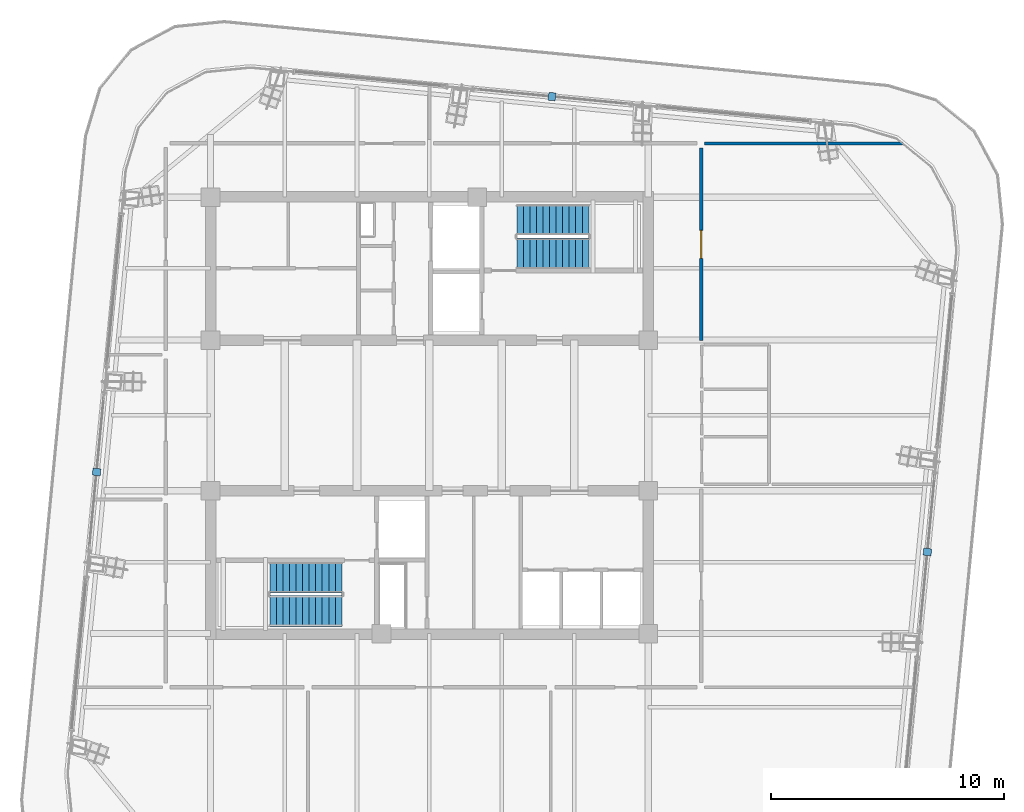
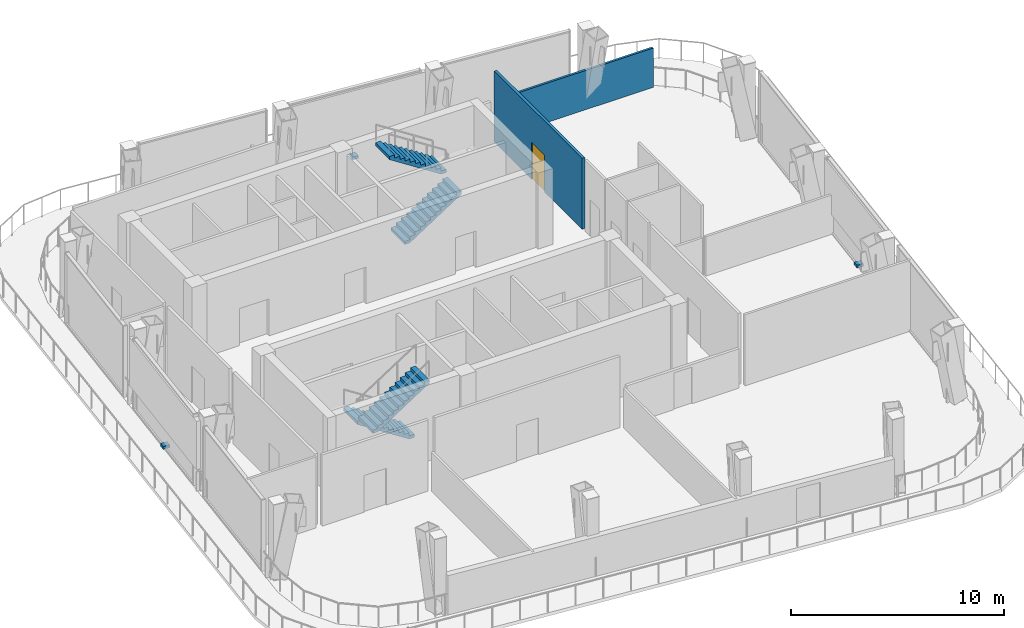
# One storey, part 14 of 19: 4 stair flights, 3 discrete accessories, 2 walls, 1 door, 1 opening, 2 elements without a shape of their own.
"""IFC4 building model written with IfcOpenShell, lengths in metres."""

from ifc_helpers import new_model, si_unit, direction, frame, frame_2d, origin, origin_2d, place, context, subcontext, project, spatial, polyline, rectangle, outline, extrude, material, layer, layer_set, type_object, element, fill, aggregate, save


model = new_model("IFC4")

# Units and contexts
model_context = context("Model", 3, precision=1e-05, world=origin(), true_north=direction((0.0, 1.0)))
body_context = subcontext(model_context, "Body", "Model", "MODEL_VIEW")
ifc_project = project(units=[si_unit("LENGTHUNIT", "METRE"), si_unit("AREAUNIT", "SQUARE_METRE"), si_unit("VOLUMEUNIT", "CUBIC_METRE"), si_unit("PLANEANGLEUNIT", "RADIAN"), si_unit("MASSUNIT", "GRAM", prefix="KILO")], contexts=[model_context])

# Site, building, storey
site_placement = place(None, origin())
site = spatial("IfcSite", under=ifc_project, at=site_placement, CompositionType="ELEMENT")
building_placement = place(site_placement, origin())
building = spatial("IfcBuilding", under=site, at=building_placement, Name="Qhalaya Broadcast Tower", CompositionType="ELEMENT")
storey_placement = place(building_placement, frame((0.0, 0.0, 280.550048828125)))
storey = spatial("IfcBuildingStorey", under=building, at=storey_placement, Name="L83", CompositionType="ELEMENT", Elevation=280.550048828125)

# Wall, opening, door
ifc_material_1 = material(Name="Gypsum Acoustic Partition")
ifc_layer_1 = layer(ifc_material_1, 0.14990234375, Name="Gypsum Acoustic Partition")
ifc_layer_set_1 = layer_set([ifc_layer_1], Name="Gypsum Acoustic Partition")
wall_type_1 = type_object("IfcWallType", Name="Corridor & Tenancy Acoustic Partition 150", PredefinedType="PARTITIONING", material=ifc_layer_set_1)
wall_1_placement = place(storey_placement, frame((11.64990234375, 3.800048828125, 0.0), z_axis=(0.0, 0.0, 1.0), x_axis=(0.0, 1.0, 0.0)))
wall_1 = element("IfcWall", 1, at=wall_1_placement, inside=storey, type_object=wall_type_1, Name="L83 Partition Wall W-COR-10", PredefinedType="PARTITIONING", context=body_context, shape_type="SweptSolid", body=[
    extrude(rectangle(XDim=8.25, YDim=0.14990234375, at=frame_2d((4.125, 0.0))), origin(), (0.0, 0.0, 1.0), 4.070068359375),
])
opening_placement = place(wall_1_placement, frame((3.52490234375, 0.0, 0.0)))
opening = element("IfcOpeningElement", 2, at=opening_placement, cuts=wall_1, Name="Opening D11", PredefinedType="OPENING", context=body_context, shape_type="SweptSolid", body=[
    extrude(rectangle(XDim=1.199951171875, YDim=2.10009765625, at=frame_2d((0.60009765625, 1.050048828125))), frame((0.0, 0.0869140625, 0.0), z_axis=(0.0, -1.0, 0.0), x_axis=(1.0, 0.0, 0.0)), (0.0, 0.0, 1.0), 0.173828125),
])
ifc_material_2 = material(Name="Anodised Aluminium Glazed Door", Category="aluminium")
door_type = type_object("IfcDoorType", Name="Conference, Boardroom & Studio Control Door D11", OperationType="NOTDEFINED", PredefinedType="DOOR", material=ifc_material_2)
door_placement = place(opening_placement, origin())
door = element("IfcDoor", 3, at=door_placement, inside=storey, type_object=door_type, Name="L83 Door D-RM10", OperationType="SINGLE_SWING_RIGHT", OverallHeight=2.10009765625, OverallWidth=1.199951171875, PredefinedType="DOOR", context=body_context, shape_type="SweptSolid", body=[
    extrude(rectangle(XDim=1.199951171875, YDim=2.10009765625, at=frame_2d((0.60009765625, 1.050048828125))), frame((0.0, 0.02490234375, 0.0), z_axis=(0.0, -1.0, 0.0), x_axis=(1.0, 0.0, 0.0)), (0.0, 0.0, 1.0), 0.050048828125),
])
fill(opening, door)

# Wall
ifc_layer_2 = layer(ifc_material_1, 0.1201171875, Name="Gypsum Acoustic Partition")
ifc_layer_set_2 = layer_set([ifc_layer_2], Name="Gypsum Acoustic Partition")
wall_type_2 = type_object("IfcWallType", Name="Office, Booth & Sanitary Partition 120", PredefinedType="PARTITIONING", material=ifc_layer_set_2)
wall_2_placement = place(storey_placement, frame((11.7900390625, 12.25, 0.0), z_axis=(0.0, 0.0, 1.0), x_axis=(1.0, 0.0, 0.0)))
element("IfcWall", 4, at=wall_2_placement, inside=storey, type_object=wall_type_2, Name="L83 Partition Wall W-BNDE1", PredefinedType="PARTITIONING", context=body_context, shape_type="SweptSolid", body=[
    extrude(rectangle(XDim=8.484130859375, YDim=0.1201171875, at=frame_2d((4.2421875, 0.0))), origin(), (0.0, 0.0, 1.0), 2.25),
])

# Stair, stair flights
ifc_material_3 = material(Name="Concrete C40/50", Category="concrete")
stair_type = type_object("IfcStairType", Name="Protected Dogleg Core Stair 4200", PredefinedType="TWO_STRAIGHT_RUN_STAIR", material=ifc_material_3)
stair_1_placement = place(storey_placement, origin())
stair_1 = element("IfcStair", 5, at=stair_1_placement, inside=storey, type_object=stair_type, Name="L83 North Core Exit Stair ST-1", PredefinedType="TWO_STRAIGHT_RUN_STAIR")
ifc_material_4 = material(Name="Precast Concrete C40/50", Category="concrete")
stair_flight_type = type_object("IfcStairFlightType", Name="Precast Concrete Stair Flight 4200", PredefinedType="STRAIGHT", material=ifc_material_4)
stair_flight_1_placement = place(storey_placement, frame((3.75, 7.5400390625, 0.0), z_axis=(0.0, 0.0, 1.0), x_axis=(1.0, 0.0, 0.0)))
stair_flight_1 = element("IfcStairFlight", 6, at=stair_flight_1_placement, type_object=stair_flight_type, Name="ST-1 flight 1", NumberOfRisers=12, NumberOfTreads=11, PredefinedType="STRAIGHT", RiserHeight=0.18125, TreadLength=0.28, context=body_context, shape_type="SweptSolid", body=[
    extrude(outline(polyline([(0.0, 0.0), (0.0, 0.18115234375), (0.280029296875, 0.18115234375), (0.280029296875, 0.362548828125), (0.56005859375, 0.362548828125), (0.56005859375, 0.543701171875), (0.840087890625, 0.543701171875), (0.840087890625, 0.72509765625), (1.1201171875, 0.72509765625), (1.1201171875, 0.90625), (1.39990234375, 0.90625), (1.39990234375, 1.08740234375), (1.679931640625, 1.08740234375), (1.679931640625, 1.268798828125), (1.9599609375, 1.268798828125), (1.9599609375, 1.449951171875), (2.239990234375, 1.449951171875), (2.239990234375, 1.63134765625), (2.52001953125, 1.63134765625), (2.52001953125, 1.8125), (2.800048828125, 1.8125), (2.800048828125, 1.99365234375), (3.080078125, 1.99365234375), (3.080078125, 2.175048828125), (3.080078125, 1.815185546875), (0.27587890625, 0.0), (0.0, 0.0)])), frame((0.0, 0.66015625, 0.0), z_axis=(0.0, -1.0, 0.0), x_axis=(1.0, 0.0, 0.0)), (0.0, 0.0, 1.0), 1.320068359375),
])
stair_flight_2_placement = place(storey_placement, frame((6.830078125, 8.97998046875, 2.175048828125), z_axis=(0.0, 0.0, 1.0), x_axis=(-1.0, 0.0, 0.0)))
stair_flight_2 = element("IfcStairFlight", 7, at=stair_flight_2_placement, type_object=stair_flight_type, Name="ST-1 flight 2", NumberOfRisers=12, NumberOfTreads=11, PredefinedType="STRAIGHT", RiserHeight=0.18125, TreadLength=0.28, context=body_context, shape_type="SweptSolid", body=[
    extrude(outline(polyline([(0.0, 0.0), (0.0, 0.18115234375), (0.280029296875, 0.18115234375), (0.280029296875, 0.362548828125), (0.56005859375, 0.362548828125), (0.56005859375, 0.543701171875), (0.840087890625, 0.543701171875), (0.840087890625, 0.72509765625), (1.1201171875, 0.72509765625), (1.1201171875, 0.90625), (1.39990234375, 0.90625), (1.39990234375, 1.08740234375), (1.679931640625, 1.08740234375), (1.679931640625, 1.268798828125), (1.9599609375, 1.268798828125), (1.9599609375, 1.449951171875), (2.239990234375, 1.449951171875), (2.239990234375, 1.63134765625), (2.52001953125, 1.63134765625), (2.52001953125, 1.8125), (2.800048828125, 1.8125), (2.800048828125, 1.99365234375), (3.080078125, 1.99365234375), (3.080078125, 2.175048828125), (3.080078125, 1.815185546875), (0.27587890625, 0.0), (0.0, 0.0)])), frame((0.0, 0.66015625, 0.0), z_axis=(0.0, -1.0, 0.0), x_axis=(1.0, 0.0, 0.0)), (0.0, 0.0, 1.0), 1.320068359375),
])
aggregate(stair_1, [stair_flight_1, stair_flight_2])

stair_2_placement = place(storey_placement, origin())
stair_2 = element("IfcStair", 8, at=stair_2_placement, inside=storey, type_object=stair_type, Name="L83 South Core Exit Stair ST-2", PredefinedType="TWO_STRAIGHT_RUN_STAIR")
stair_flight_3_placement = place(storey_placement, frame((-3.75, -6.340087890625, 0.0), z_axis=(0.0, 0.0, 1.0), x_axis=(-1.0, 0.0, 0.0)))
stair_flight_3 = element("IfcStairFlight", 9, at=stair_flight_3_placement, type_object=stair_flight_type, Name="ST-2 flight 1", NumberOfRisers=12, NumberOfTreads=11, PredefinedType="STRAIGHT", RiserHeight=0.18125, TreadLength=0.28, context=body_context, shape_type="SweptSolid", body=[
    extrude(outline(polyline([(0.0, 0.0), (0.0, 0.18115234375), (0.280029296875, 0.18115234375), (0.280029296875, 0.362548828125), (0.56005859375, 0.362548828125), (0.56005859375, 0.543701171875), (0.840087890625, 0.543701171875), (0.840087890625, 0.72509765625), (1.1201171875, 0.72509765625), (1.1201171875, 0.90625), (1.39990234375, 0.90625), (1.39990234375, 1.08740234375), (1.679931640625, 1.08740234375), (1.679931640625, 1.268798828125), (1.9599609375, 1.268798828125), (1.9599609375, 1.449951171875), (2.239990234375, 1.449951171875), (2.239990234375, 1.63134765625), (2.52001953125, 1.63134765625), (2.52001953125, 1.8125), (2.800048828125, 1.8125), (2.800048828125, 1.99365234375), (3.080078125, 1.99365234375), (3.080078125, 2.175048828125), (3.080078125, 1.815185546875), (0.27587890625, 0.0), (0.0, 0.0)])), frame((0.0, 0.66015625, 0.0), z_axis=(0.0, -1.0, 0.0), x_axis=(1.0, 0.0, 0.0)), (0.0, 0.0, 1.0), 1.320068359375),
])
stair_flight_4_placement = place(storey_placement, frame((-6.830078125, -7.780029296875, 2.175048828125), z_axis=(0.0, 0.0, 1.0), x_axis=(1.0, 0.0, 0.0)))
stair_flight_4 = element("IfcStairFlight", 10, at=stair_flight_4_placement, type_object=stair_flight_type, Name="ST-2 flight 2", NumberOfRisers=12, NumberOfTreads=11, PredefinedType="STRAIGHT", RiserHeight=0.18125, TreadLength=0.28, context=body_context, shape_type="SweptSolid", body=[
    extrude(outline(polyline([(0.0, 0.0), (0.0, 0.18115234375), (0.280029296875, 0.18115234375), (0.280029296875, 0.362548828125), (0.56005859375, 0.362548828125), (0.56005859375, 0.543701171875), (0.840087890625, 0.543701171875), (0.840087890625, 0.72509765625), (1.1201171875, 0.72509765625), (1.1201171875, 0.90625), (1.39990234375, 0.90625), (1.39990234375, 1.08740234375), (1.679931640625, 1.08740234375), (1.679931640625, 1.268798828125), (1.9599609375, 1.268798828125), (1.9599609375, 1.449951171875), (2.239990234375, 1.449951171875), (2.239990234375, 1.63134765625), (2.52001953125, 1.63134765625), (2.52001953125, 1.8125), (2.800048828125, 1.8125), (2.800048828125, 1.99365234375), (3.080078125, 1.99365234375), (3.080078125, 2.175048828125), (3.080078125, 1.815185546875), (0.27587890625, 0.0), (0.0, 0.0)])), frame((0.0, 0.66015625, 0.0), z_axis=(0.0, -1.0, 0.0), x_axis=(1.0, 0.0, 0.0)), (0.0, 0.0, 1.0), 1.320068359375),
])
aggregate(stair_2, [stair_flight_3, stair_flight_4])

# Discrete accessories
ifc_material_5 = material(Name="Structural Steel ASTM A572 Grade 50", Category="steel")
discrete_accessory_type = type_object("IfcDiscreteAccessoryType", Name="Facade Baguette Support Bracket BRK-01", PredefinedType="BRACKET", material=ifc_material_5)
for number, where, z_axis, x_axis, name in (
    (11, (21.337646484375, -5.25390625, 0.0), (0.0, 0.0, 1.0), (0.09584575252, 0.995396198367, 0.0), "L83 Baguette Support Bracket E"),
    (12, (5.25390625, 14.2578125, 0.0), (0.0, 0.0, 1.0), (-0.995396198367, 0.09584575252, 0.0), "L83 Baguette Support Bracket N"),
    (13, (-14.2578125, -1.826171875, 0.0), (0.0, 0.0, 1.0), (-0.09584575252, -0.995396198367, 0.0), "L83 Baguette Support Bracket W"),
):
    element("IfcDiscreteAccessory", number, at=place(storey_placement, frame(where, z_axis=z_axis, x_axis=x_axis)), inside=storey, type_object=discrete_accessory_type, Name=name, PredefinedType="BRACKET", context=body_context, shape_type="SweptSolid", body=[
        extrude(rectangle(XDim=0.300048828125, YDim=0.340087890625, at=origin_2d()), origin(), (0.0, 0.0, 1.0), 0.159912109375),
    ])

save(model, "model.ifc")
